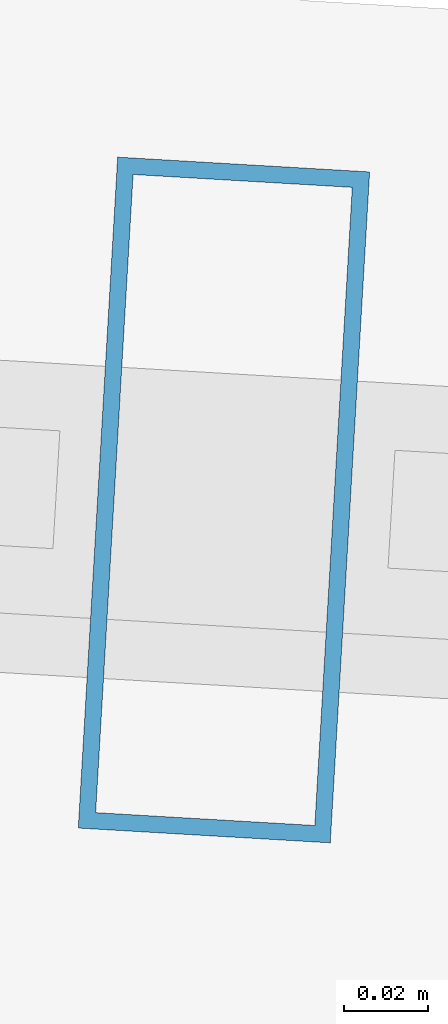
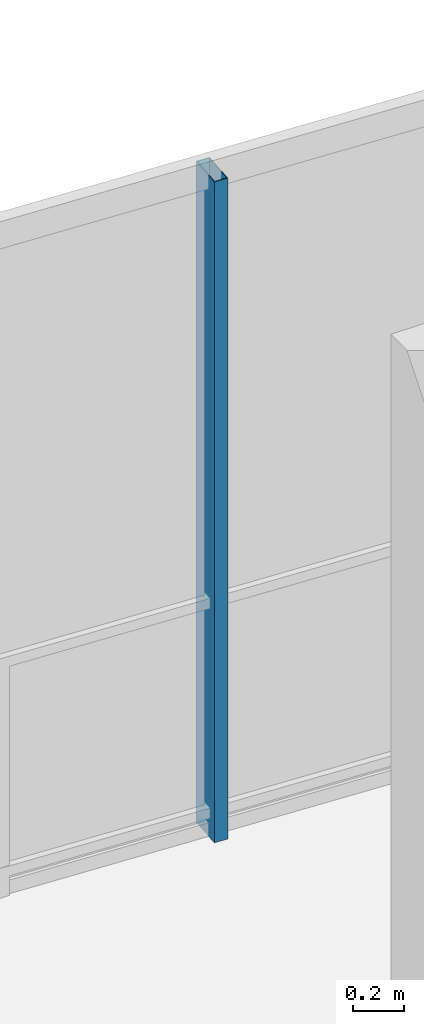
# One storey, part 18 of 28: 1 member, 1 element without a shape of its own.
"""IFC4 building model written with IfcOpenShell, lengths in metres."""

from ifc_helpers import new_model, si_unit, direction, frame, origin, origin_2d, place, context, subcontext, project, spatial, hollow_rectangle, extrude, material, layer, layer_set, material_profile, profile_set, type_object, element, aggregate, save


model = new_model("IFC4")

# Units and contexts
model_context = context("Model", 3, precision=1e-05, world=origin(), true_north=direction((0.0, 1.0)))
body_context = subcontext(model_context, "Body", "Model", "MODEL_VIEW")
ifc_project = project(units=[si_unit("LENGTHUNIT", "METRE"), si_unit("AREAUNIT", "SQUARE_METRE"), si_unit("VOLUMEUNIT", "CUBIC_METRE"), si_unit("PLANEANGLEUNIT", "RADIAN"), si_unit("MASSUNIT", "GRAM", prefix="KILO")], contexts=[model_context])

# Site, building, storey
site_placement = place(None, origin())
site = spatial("IfcSite", under=ifc_project, at=site_placement, CompositionType="ELEMENT")
building_placement = place(site_placement, origin())
building = spatial("IfcBuilding", under=site, at=building_placement, Name="Qarnah Convention Tower", CompositionType="ELEMENT")
storey_placement = place(building_placement, frame((0.0, 0.0, 54.60009765625)))
storey = spatial("IfcBuildingStorey", under=building, at=storey_placement, Name="L13", CompositionType="ELEMENT", Elevation=54.60009765625)

# Curtain wall, member
ifc_material_1 = material(Name="Tempered Low-E dark glass", Category="glass")
ifc_layer = layer(ifc_material_1, 0.16796875)
ifc_layer_set = layer_set([ifc_layer], Name="Tempered Low-E dark glass")
curtain_wall_type = type_object("IfcCurtainWallType", Name="CWS-01", PredefinedType="NOTDEFINED", material=ifc_layer_set)
curtain_wall_placement = place(storey_placement, origin())
curtain_wall = element("IfcCurtainWall", 1, at=curtain_wall_placement, inside=storey, type_object=curtain_wall_type, Name="L13 unitised curtain wall CW-L13-F1", PredefinedType="NOTDEFINED")
ifc_material_2 = material(Name="Black anodised aluminium", Category="aluminium")
ifc_material_profile = material_profile(ifc_material_2, hollow_rectangle(XDim=0.06005859375, YDim=0.159912109375, WallThickness=0.00390625, at=origin_2d()), Name="MUL-60X160")
ifc_profile_set = profile_set([ifc_material_profile], Name="Black anodised aluminium")
member_type = type_object("IfcMemberType", Name="MUL-T1", PredefinedType="MULLION", material=ifc_profile_set)
member_placement = place(storey_placement, frame((35.927978515625, 44.9189453125, 0.0), z_axis=(0.0, 0.0, 1.0), x_axis=(0.998280790884, -0.058612819006, 0.0)))
member = element("IfcMember", 2, at=member_placement, type_object=member_type, Name="CW-L13-F1 mullion 3", PredefinedType="MULLION", context=body_context, shape_type="SweptSolid", body=[
    extrude(hollow_rectangle(XDim=0.06005859375, YDim=0.159912109375, WallThickness=0.00390625, at=origin_2d()), origin(), (0.0, 0.0, 1.0), 3.169921875),
])
aggregate(curtain_wall, [member])

save(model, "model.ifc")
